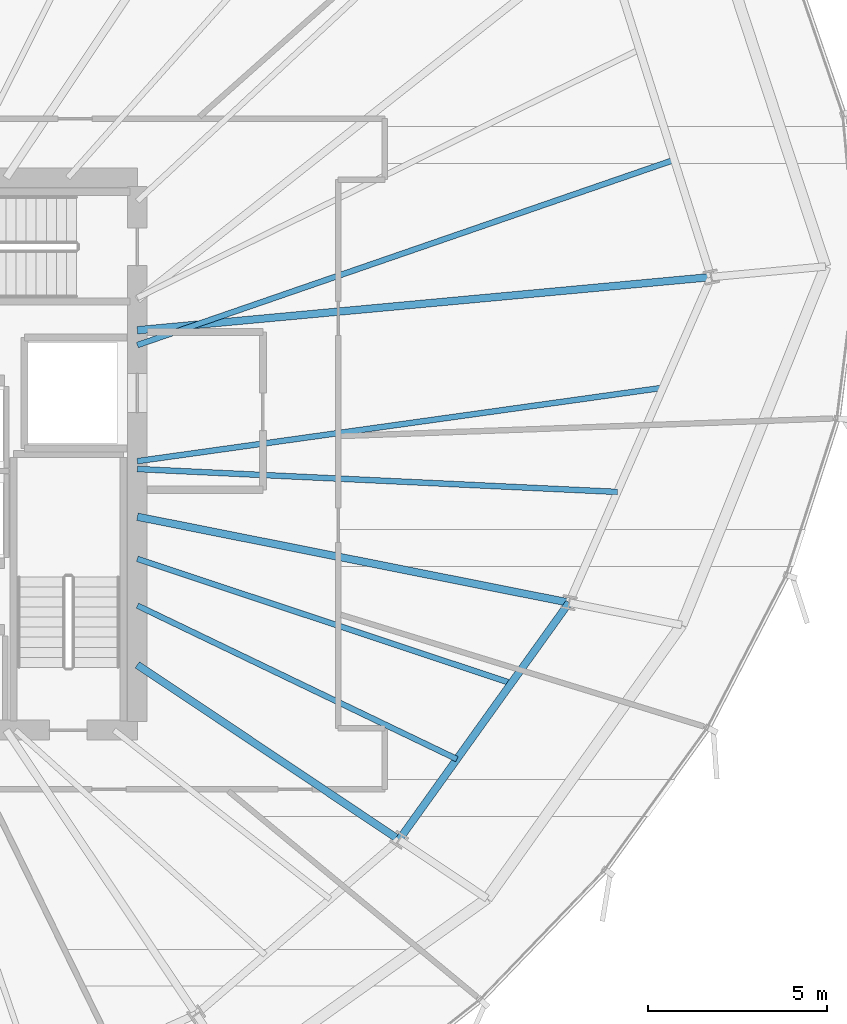
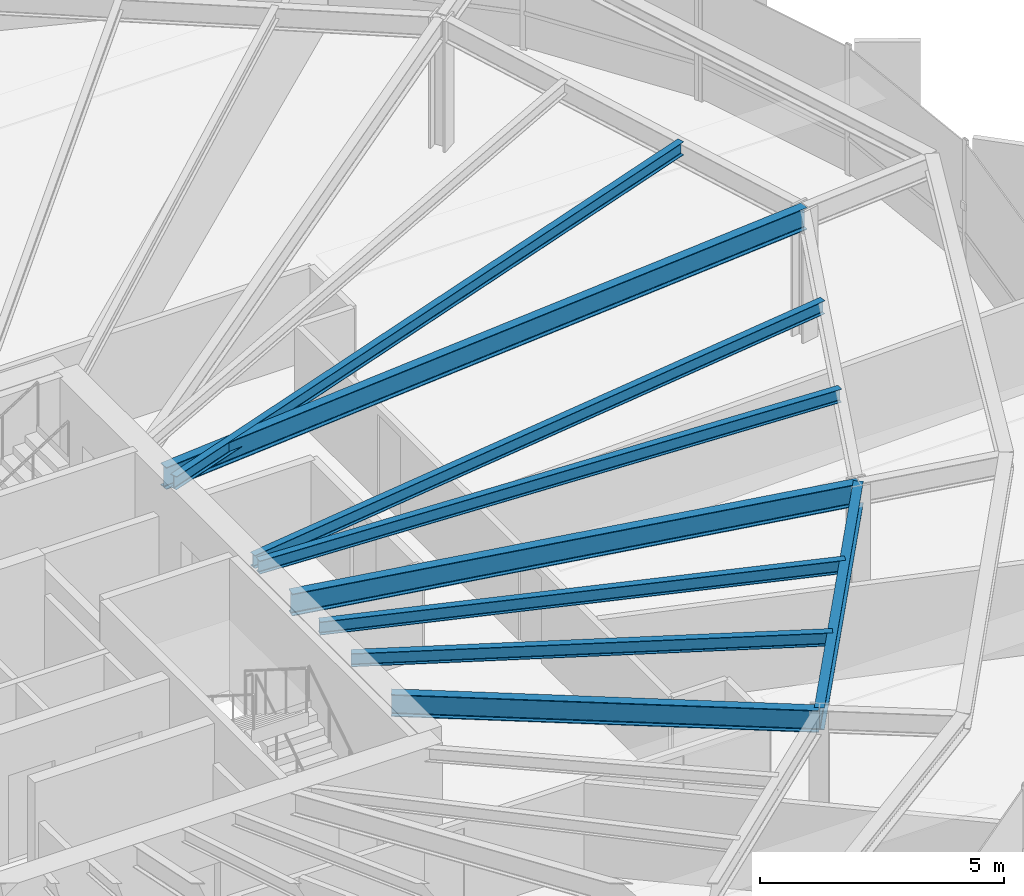
# One storey, part 15 of 35: 9 beams.
"""IFC4 building model written with IfcOpenShell, lengths in metres."""

from ifc_helpers import new_model, si_unit, direction, frame, origin, origin_2d, place, context, subcontext, project, spatial, i_section, extrude, source, transform, mapped, material, material_profile, profile_set, type_object, element, save


model = new_model("IFC4")

# Units and contexts
model_context = context("Model", 3, precision=1e-05, world=origin(), true_north=direction((0.0, 1.0)))
body_context = subcontext(model_context, "Body", "Model", "MODEL_VIEW")
ifc_project = project(units=[si_unit("LENGTHUNIT", "METRE"), si_unit("AREAUNIT", "SQUARE_METRE"), si_unit("VOLUMEUNIT", "CUBIC_METRE"), si_unit("PLANEANGLEUNIT", "RADIAN"), si_unit("MASSUNIT", "GRAM", prefix="KILO"), si_unit("THERMODYNAMICTEMPERATUREUNIT", "KELVIN")], contexts=[model_context])

# Site, building, storey
site_placement = place(None, origin())
site = spatial("IfcSite", under=ifc_project, at=site_placement, CompositionType="ELEMENT")
building_placement = place(site_placement, origin())
building = spatial("IfcBuilding", under=site, at=building_placement, Name="Kethvar Cultural Tower", CompositionType="ELEMENT")
storey_placement = place(building_placement, frame((0.0, 0.0, 139.449951171875)))
storey = spatial("IfcBuildingStorey", under=building, at=storey_placement, Name="L35", CompositionType="ELEMENT", Elevation=139.449951171875)

# Beams
ifc_material = material(Name="Steel S355J2", Category="steel")
ifc_material_profile_1 = material_profile(ifc_material, i_section(OverallWidth=0.2099609375, OverallDepth=0.550048828125, WebThickness=0.010986328125, FlangeThickness=0.01708984375, FilletRadius=0.02392578125, at=origin_2d()), Name="Steel S355J2 — IPE550")
ifc_profile_set_1 = profile_set([ifc_material_profile_1], Name="Steel S355J2 — IPE550")
beam_type_1 = type_object("IfcBeamType", Name="BM-IPE550", PredefinedType="BEAM", material=ifc_profile_set_1)
shared_shape_1 = source(origin(), body_context, "Body", "SweptSolid", [
    extrude(i_section(OverallWidth=0.2099609375, OverallDepth=0.550048828125, WebThickness=0.010986328125, FlangeThickness=0.01708984375, FilletRadius=0.02392578125, at=origin_2d()), origin(), (0.0, 0.0, 1.0), 16.071044921875),
])
beam_1_placement = place(storey_placement, frame((55.60009765625, 31.25, 3.02294921875), z_axis=(0.995731009363, 0.092302529718, 0.0), x_axis=(-0.092302529718, 0.995731009363, 0.0)))
element("IfcBeam", 1, at=beam_1_placement, inside=storey, type_object=beam_type_1, Name="L35 Primary Radial Beam RB-01", PredefinedType="BEAM", context=body_context, shape_type="MappedRepresentation", body=[
    mapped(shared_shape_1, transform((0.0, 0.0, 0.0), scale=1.0)),
])
shared_shape_2 = source(origin(), body_context, "Body", "SweptSolid", [
    extrude(i_section(OverallWidth=0.2099609375, OverallDepth=0.550048828125, WebThickness=0.010986328125, FlangeThickness=0.01708984375, FilletRadius=0.02392578125, at=origin_2d()), origin(), (0.0, 0.0, 1.0), 8.77783203125),
])
beam_2_placement = place(storey_placement, frame((55.60009765625, 21.919921875, 3.02294921875), z_axis=(0.831472186778, -0.555566380026, 0.0), x_axis=(0.555566380026, 0.831472186778, 0.0)))
element("IfcBeam", 2, at=beam_2_placement, inside=storey, type_object=beam_type_1, Name="L35 Primary Radial Beam RB-15", PredefinedType="BEAM", context=body_context, shape_type="MappedRepresentation", body=[
    mapped(shared_shape_2, transform((0.0, 0.0, 0.0), scale=1.0)),
])
shared_shape_3 = source(origin(), body_context, "Body", "SweptSolid", [
    extrude(i_section(OverallWidth=0.2099609375, OverallDepth=0.550048828125, WebThickness=0.010986328125, FlangeThickness=0.01708984375, FilletRadius=0.02392578125, at=origin_2d()), origin(), (0.0, 0.0, 1.0), 12.2744140625),
])
beam_3_placement = place(storey_placement, frame((55.60009765625, 26.049560546875, 3.02294921875), z_axis=(0.980782878234, -0.195102398146, 0.0), x_axis=(0.195102398146, 0.980782878234, 0.0)))
element("IfcBeam", 3, at=beam_3_placement, inside=storey, type_object=beam_type_1, Name="L35 Primary Radial Beam RB-16", PredefinedType="BEAM", context=body_context, shape_type="MappedRepresentation", body=[
    mapped(shared_shape_3, transform((0.0, 0.0, 0.0), scale=1.0)),
])
ifc_material_profile_2 = material_profile(ifc_material, i_section(OverallWidth=0.159912109375, OverallDepth=0.330078125, WebThickness=0.007568359375, FlangeThickness=0.011474609375, FilletRadius=0.01806640625, at=origin_2d()), Name="Steel S355J2 — IPE330")
ifc_profile_set_2 = profile_set([ifc_material_profile_2], Name="Steel S355J2 — IPE330")
beam_type_2 = type_object("IfcBeamType", Name="BM-J330", PredefinedType="JOIST", material=ifc_profile_set_2)
shared_shape_4 = source(origin(), body_context, "Body", "SweptSolid", [
    extrude(i_section(OverallWidth=0.159912109375, OverallDepth=0.330078125, WebThickness=0.007568359375, FlangeThickness=0.011474609375, FilletRadius=0.01806640625, at=origin_2d()), origin(), (0.0, 0.0, 1.0), 15.836669921875),
])
beam_4_placement = place(storey_placement, frame((55.60009765625, 30.836181640625, 3.133056640625), z_axis=(0.945315135904, 0.326158387644, 0.0), x_axis=(-0.326158387644, 0.945315135904, 0.0)))
element("IfcBeam", 4, at=beam_4_placement, inside=storey, type_object=beam_type_2, Name="L35 Composite Floor Joist J-01A", PredefinedType="JOIST", context=body_context, shape_type="MappedRepresentation", body=[
    mapped(shared_shape_4, transform((0.0, 0.0, 0.0), scale=1.0)),
])
shared_shape_5 = source(origin(), body_context, "Body", "SweptSolid", [
    extrude(i_section(OverallWidth=0.2099609375, OverallDepth=0.550048828125, WebThickness=0.010986328125, FlangeThickness=0.01708984375, FilletRadius=0.02392578125, at=origin_2d()), origin(), (0.0, 0.0, 1.0), 8.13525390625),
])
beam_5_placement = place(storey_placement, frame((62.898681640625, 17.043212890625, 3.02294921875), z_axis=(0.582656731995, 0.812718359988, 0.0), x_axis=(-0.812718359988, 0.582656731995, 0.0)))
element("IfcBeam", 5, at=beam_5_placement, inside=storey, type_object=beam_type_1, Name="L35 Column Ring Tie Beam CR-15", PredefinedType="BEAM", context=body_context, shape_type="MappedRepresentation", body=[
    mapped(shared_shape_5, transform((0.0, 0.0, 0.0), scale=1.0)),
])
shared_shape_6 = source(origin(), body_context, "Body", "SweptSolid", [
    extrude(i_section(OverallWidth=0.159912109375, OverallDepth=0.330078125, WebThickness=0.007568359375, FlangeThickness=0.011474609375, FilletRadius=0.01806640625, at=origin_2d()), origin(), (0.0, 0.0, 1.0), 9.885009765625),
])
beam_6_placement = place(storey_placement, frame((55.60009765625, 23.572021484375, 3.133056640625), z_axis=(0.901369611334, -0.43305060185, 0.0), x_axis=(0.43305060185, 0.901369611334, 0.0)))
element("IfcBeam", 6, at=beam_6_placement, inside=storey, type_object=beam_type_2, Name="L35 Composite Floor Joist J-15A", PredefinedType="JOIST", context=body_context, shape_type="MappedRepresentation", body=[
    mapped(shared_shape_6, transform((0.0, 0.0, 0.0), scale=1.0)),
])
shared_shape_7 = source(origin(), body_context, "Body", "SweptSolid", [
    extrude(i_section(OverallWidth=0.159912109375, OverallDepth=0.330078125, WebThickness=0.007568359375, FlangeThickness=0.011474609375, FilletRadius=0.01806640625, at=origin_2d()), origin(), (0.0, 0.0, 1.0), 10.98828125),
])
beam_7_placement = place(storey_placement, frame((55.60009765625, 24.8740234375, 3.133056640625), z_axis=(0.948918548228, -0.315521138481, 0.0), x_axis=(0.315521138481, 0.948918548228, 0.0)))
element("IfcBeam", 7, at=beam_7_placement, inside=storey, type_object=beam_type_2, Name="L35 Composite Floor Joist J-15B", PredefinedType="JOIST", context=body_context, shape_type="MappedRepresentation", body=[
    mapped(shared_shape_7, transform((0.0, 0.0, 0.0), scale=1.0)),
])
shared_shape_8 = source(origin(), body_context, "Body", "SweptSolid", [
    extrude(i_section(OverallWidth=0.159912109375, OverallDepth=0.330078125, WebThickness=0.007568359375, FlangeThickness=0.011474609375, FilletRadius=0.01806640625, at=origin_2d()), origin(), (0.0, 0.0, 1.0), 13.4013671875),
])
beam_8_placement = place(storey_placement, frame((55.60009765625, 27.380126953125, 3.133056640625), z_axis=(0.998864631653, -0.047638719894, 0.0), x_axis=(0.047638719894, 0.998864631653, 0.0)))
element("IfcBeam", 8, at=beam_8_placement, inside=storey, type_object=beam_type_2, Name="L35 Composite Floor Joist J-16A", PredefinedType="JOIST", context=body_context, shape_type="MappedRepresentation", body=[
    mapped(shared_shape_8, transform((0.0, 0.0, 0.0), scale=1.0)),
])
shared_shape_9 = source(origin(), body_context, "Body", "SweptSolid", [
    extrude(i_section(OverallWidth=0.159912109375, OverallDepth=0.330078125, WebThickness=0.007568359375, FlangeThickness=0.011474609375, FilletRadius=0.01806640625, at=origin_2d()), origin(), (0.0, 0.0, 1.0), 14.797119140625),
])
beam_9_placement = place(storey_placement, frame((55.60009765625, 27.60009765625, 3.133056640625), z_axis=(0.990388450305, 0.138313836986, 0.0), x_axis=(-0.138313836986, 0.990388450305, 0.0)))
element("IfcBeam", 9, at=beam_9_placement, inside=storey, type_object=beam_type_2, Name="L35 Composite Floor Joist J-16B", PredefinedType="JOIST", context=body_context, shape_type="MappedRepresentation", body=[
    mapped(shared_shape_9, transform((0.0, 0.0, 0.0), scale=1.0)),
])

save(model, "model.ifc")
